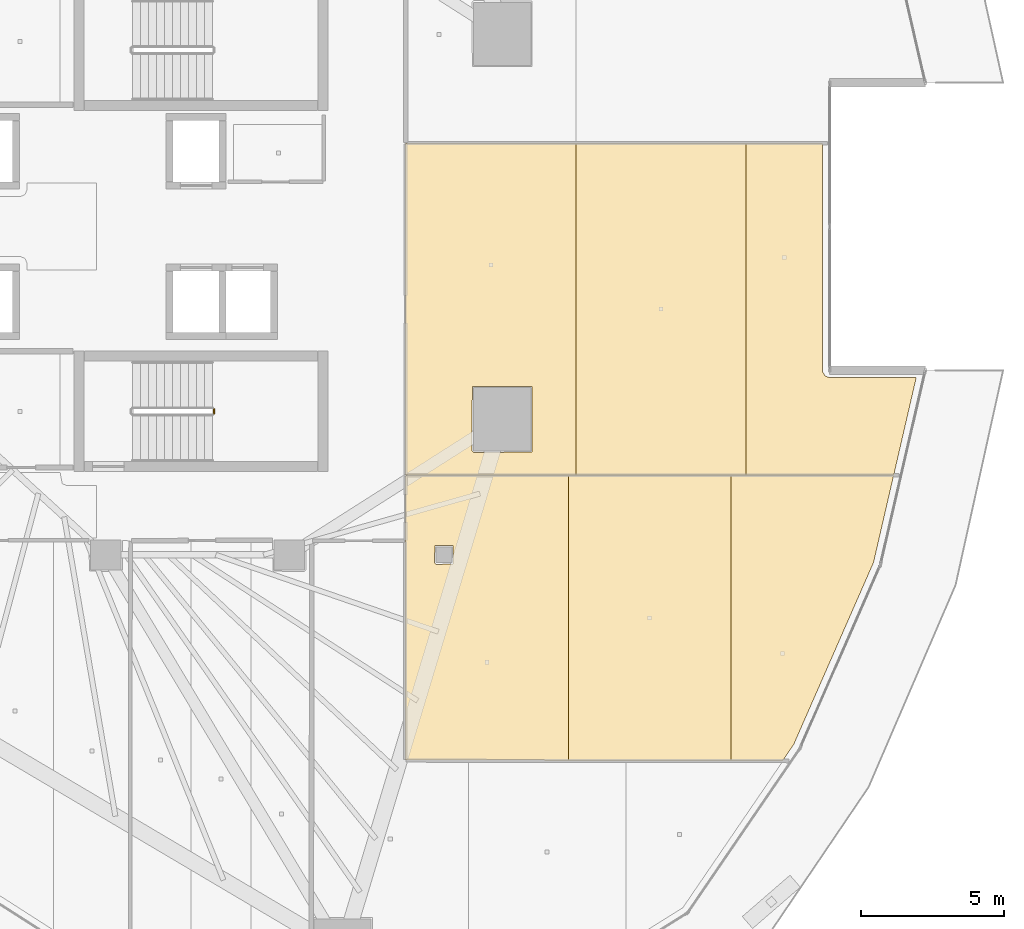
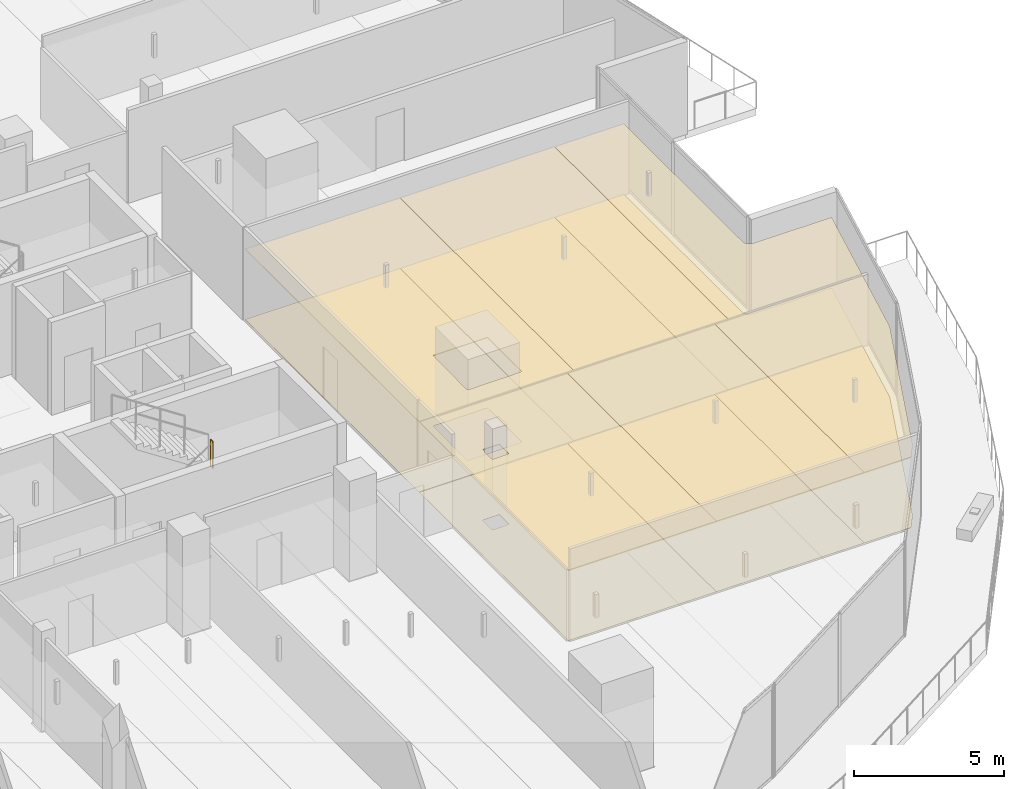
# One storey, part 41 of 44: 12 coverings, 1 railing.
"""IFC4 building model written with IfcOpenShell, lengths in metres."""

from ifc_helpers import new_model, si_unit, direction, frame, origin, origin_2d, place, context, subcontext, project, spatial, polyline, circle, outline, extrude, material, layer, layer_set, type_object, element, save


model = new_model("IFC4")

# Units and contexts
model_context = context("Model", 3, precision=1e-05, world=origin(), true_north=direction((0.0, 1.0)))
body_context = subcontext(model_context, "Body", "Model", "MODEL_VIEW")
ifc_project = project(units=[si_unit("LENGTHUNIT", "METRE"), si_unit("AREAUNIT", "SQUARE_METRE"), si_unit("VOLUMEUNIT", "CUBIC_METRE"), si_unit("PLANEANGLEUNIT", "RADIAN"), si_unit("MASSUNIT", "GRAM", prefix="KILO")], contexts=[model_context])

# Site, building, storey
site_placement = place(None, origin())
site = spatial("IfcSite", under=ifc_project, at=site_placement, CompositionType="ELEMENT")
building_placement = place(site_placement, origin())
building = spatial("IfcBuilding", under=site, at=building_placement, Name="Qorvath Tower", CompositionType="ELEMENT")
storey_placement = place(building_placement, frame((0.0, 0.0, 113.85009765625)))
storey = spatial("IfcBuildingStorey", under=building, at=storey_placement, Name="L25", CompositionType="ELEMENT", Elevation=113.85009765625)

# Coverings
ifc_material_1 = material(Name="Acoustic mineral fibre ceiling tile", Category="gypsum")
ifc_layer_1 = layer(ifc_material_1, 0.030029296875)
ifc_layer_set_1 = layer_set([ifc_layer_1], Name="COV-CEIL")
covering_type_1 = type_object("IfcCoveringType", Name="COV-CEIL", PredefinedType="CEILING", material=ifc_layer_set_1)
covering_1_placement = place(storey_placement, frame((0.0, 0.0, 2.849853515625)))
element("IfcCovering", 1, at=covering_1_placement, inside=storey, type_object=covering_type_1, Name="L25 Suspended Acoustic Ceiling 034", PredefinedType="CEILING", context=body_context, shape_type="SweptSolid", body=[
    extrude(outline(polyline([(-13.136962890625, -18.607421875), (-7.46484375, -18.615234375), (-7.46484375, -8.68212890625), (-13.136962890625, -8.68212890625), (-13.136962890625, -18.607421875)]), holes=[polyline([(-12.135009765625, -11.72509765625), (-12.117431640625, -11.132568359375), (-11.482666015625, -11.132568359375), (-11.482666015625, -11.767333984375), (-12.074951171875, -11.784912109375), (-12.135009765625, -11.72509765625)])]), origin(), (0.0, 0.0, 1.0), 0.030029296875),
])
covering_2_placement = place(storey_placement, frame((0.0, 0.0, 2.849853515625)))
element("IfcCovering", 2, at=covering_2_placement, inside=storey, type_object=covering_type_1, Name="L25 Suspended Acoustic Ceiling 035", PredefinedType="CEILING", context=body_context, shape_type="SweptSolid", body=[
    extrude(outline(polyline([(-7.46484375, -8.68212890625), (-7.46484375, -18.615234375), (-1.792724609375, -18.623046875), (-1.792724609375, -8.68212890625), (-7.46484375, -8.68212890625)])), origin(), (0.0, 0.0, 1.0), 0.030029296875),
])
covering_3_placement = place(storey_placement, frame((0.0, 0.0, 2.849853515625)))
element("IfcCovering", 3, at=covering_3_placement, inside=storey, type_object=covering_type_1, Name="L25 Suspended Acoustic Ceiling 036", PredefinedType="CEILING", context=body_context, shape_type="SweptSolid", body=[
    extrude(outline(polyline([(-1.792724609375, -8.68212890625), (-1.792724609375, -18.623046875), (0.009765625, -18.625732421875), (0.3984375, -18.056640625), (3.177490234375, -11.71923828125), (3.87939453125, -8.68212890625), (-1.792724609375, -8.68212890625)])), origin(), (0.0, 0.0, 1.0), 0.030029296875),
])
covering_4_placement = place(storey_placement, frame((0.0, 0.0, 2.849853515625)))
element("IfcCovering", 4, at=covering_4_placement, inside=storey, type_object=covering_type_1, Name="L25 Suspended Acoustic Ceiling 037", PredefinedType="CEILING", context=body_context, shape_type="SweptSolid", body=[
    extrude(outline(polyline([(-7.20166015625, -8.6640625), (-7.20166015625, 2.898193359375), (-13.136962890625, 2.898193359375), (-13.136962890625, -8.6640625), (-7.20166015625, -8.6640625)]), holes=[polyline([(-10.830322265625, -7.8212890625), (-10.812744140625, -5.578857421875), (-8.727783203125, -5.578857421875), (-8.727783203125, -7.86376953125), (-10.770263671875, -7.88134765625), (-10.830322265625, -7.8212890625)])]), origin(), (0.0, 0.0, 1.0), 0.030029296875),
])
covering_5_placement = place(storey_placement, frame((0.0, 0.0, 2.849853515625)))
element("IfcCovering", 5, at=covering_5_placement, inside=storey, type_object=covering_type_1, Name="L25 Suspended Acoustic Ceiling 038", PredefinedType="CEILING", context=body_context, shape_type="SweptSolid", body=[
    extrude(outline(polyline([(-1.266357421875, -8.6640625), (-1.266357421875, 2.898193359375), (-7.20166015625, 2.898193359375), (-7.20166015625, -8.6640625), (-1.266357421875, -8.6640625)])), origin(), (0.0, 0.0, 1.0), 0.030029296875),
])
covering_6_placement = place(storey_placement, frame((0.0, 0.0, 2.849853515625)))
element("IfcCovering", 6, at=covering_6_placement, inside=storey, type_object=covering_type_1, Name="L25 Suspended Acoustic Ceiling 039", PredefinedType="CEILING", context=body_context, shape_type="SweptSolid", body=[
    extrude(outline(polyline([(1.48583984375, -5.20703125), (1.3984375, -5.06005859375), (1.393798828125, 2.898193359375), (-1.266357421875, 2.898193359375), (-1.266357421875, -8.6640625), (3.883544921875, -8.6640625), (4.6689453125, -5.26611328125), (1.624267578125, -5.264892578125), (1.48583984375, -5.20703125)])), origin(), (0.0, 0.0, 1.0), 0.030029296875),
])
ifc_material_2 = material(Name="Low-VOC modular carpet tile", Category="textile")
ifc_layer_2 = layer(ifc_material_2, 0.014892578125)
ifc_layer_set_2 = layer_set([ifc_layer_2], Name="COV-FLOOR-CPT")
covering_type_2 = type_object("IfcCoveringType", Name="COV-FLOOR-CPT", PredefinedType="FLOORING", material=ifc_layer_set_2)
covering_7_placement = place(storey_placement, origin())
element("IfcCovering", 7, at=covering_7_placement, inside=storey, type_object=covering_type_2, Name="L25 Floor Finish 034", PredefinedType="FLOORING", context=body_context, shape_type="SweptSolid", body=[
    extrude(outline(polyline([(-13.136962890625, -18.607421875), (-7.46484375, -18.615234375), (-7.46484375, -8.68212890625), (-13.136962890625, -8.68212890625), (-13.136962890625, -18.607421875)]), holes=[polyline([(-12.135009765625, -11.72509765625), (-12.117431640625, -11.132568359375), (-11.482666015625, -11.132568359375), (-11.482666015625, -11.767333984375), (-12.074951171875, -11.784912109375), (-12.135009765625, -11.72509765625)])]), origin(), (0.0, 0.0, 1.0), 0.014892578125),
])
covering_8_placement = place(storey_placement, origin())
element("IfcCovering", 8, at=covering_8_placement, inside=storey, type_object=covering_type_2, Name="L25 Floor Finish 035", PredefinedType="FLOORING", context=body_context, shape_type="SweptSolid", body=[
    extrude(outline(polyline([(-7.46484375, -8.68212890625), (-7.46484375, -18.615234375), (-1.792724609375, -18.623046875), (-1.792724609375, -8.68212890625), (-7.46484375, -8.68212890625)])), origin(), (0.0, 0.0, 1.0), 0.014892578125),
])
covering_9_placement = place(storey_placement, origin())
element("IfcCovering", 9, at=covering_9_placement, inside=storey, type_object=covering_type_2, Name="L25 Floor Finish 036", PredefinedType="FLOORING", context=body_context, shape_type="SweptSolid", body=[
    extrude(outline(polyline([(-1.792724609375, -8.68212890625), (-1.792724609375, -18.623046875), (0.009765625, -18.625732421875), (0.3984375, -18.056640625), (3.177490234375, -11.71923828125), (3.87939453125, -8.68212890625), (-1.792724609375, -8.68212890625)])), origin(), (0.0, 0.0, 1.0), 0.014892578125),
])
covering_10_placement = place(storey_placement, origin())
element("IfcCovering", 10, at=covering_10_placement, inside=storey, type_object=covering_type_2, Name="L25 Floor Finish 037", PredefinedType="FLOORING", context=body_context, shape_type="SweptSolid", body=[
    extrude(outline(polyline([(-7.20166015625, -8.6640625), (-7.20166015625, 2.898193359375), (-13.136962890625, 2.898193359375), (-13.136962890625, -8.6640625), (-7.20166015625, -8.6640625)]), holes=[polyline([(-10.830322265625, -7.8212890625), (-10.812744140625, -5.578857421875), (-8.727783203125, -5.578857421875), (-8.727783203125, -7.86376953125), (-10.770263671875, -7.88134765625), (-10.830322265625, -7.8212890625)])]), origin(), (0.0, 0.0, 1.0), 0.014892578125),
])
covering_11_placement = place(storey_placement, origin())
element("IfcCovering", 11, at=covering_11_placement, inside=storey, type_object=covering_type_2, Name="L25 Floor Finish 038", PredefinedType="FLOORING", context=body_context, shape_type="SweptSolid", body=[
    extrude(outline(polyline([(-1.266357421875, -8.6640625), (-1.266357421875, 2.898193359375), (-7.20166015625, 2.898193359375), (-7.20166015625, -8.6640625), (-1.266357421875, -8.6640625)])), origin(), (0.0, 0.0, 1.0), 0.014892578125),
])
covering_12_placement = place(storey_placement, origin())
element("IfcCovering", 12, at=covering_12_placement, inside=storey, type_object=covering_type_2, Name="L25 Floor Finish 039", PredefinedType="FLOORING", context=body_context, shape_type="SweptSolid", body=[
    extrude(outline(polyline([(1.48583984375, -5.20703125), (1.3984375, -5.06005859375), (1.393798828125, 2.898193359375), (-1.266357421875, 2.898193359375), (-1.266357421875, -8.6640625), (3.883544921875, -8.6640625), (4.6689453125, -5.26611328125), (1.624267578125, -5.264892578125), (1.48583984375, -5.20703125)])), origin(), (0.0, 0.0, 1.0), 0.014892578125),
])

# Railing
ifc_material_3 = material(Name="Painted galvanised steel", Category="steel")
railing_type = type_object("IfcRailingType", Name="RL-STR-GRD", PredefinedType="GUARDRAIL", material=ifc_material_3)
railing_placement = place(storey_placement, frame((-19.820068359375, -6.52001953125, 2.02490234375)))
element("IfcRailing", 13, at=railing_placement, inside=storey, type_object=railing_type, Name="L25 TS2 stair guard 2", PredefinedType="GUARDRAIL", context=body_context, shape_type="SweptSolid", body=[
    extrude(circle(Radius=0.02392578125, at=origin_2d()), frame((0.0, 0.0, 1.076171875), z_axis=(0.0, 1.0, 0.0), x_axis=(-1.0, 0.0, 0.0)), (0.0, 0.0, 1.0), 0.14990234375),
    extrude(circle(Radius=0.02099609375, at=origin_2d()), origin(), (0.0, 0.0, 1.0), 1.052001953125),
    extrude(circle(Radius=0.02099609375, at=origin_2d()), frame((0.0, 0.14990234375, 0.0)), (0.0, 0.0, 1.0), 1.052001953125),
])

save(model, "model.ifc")
